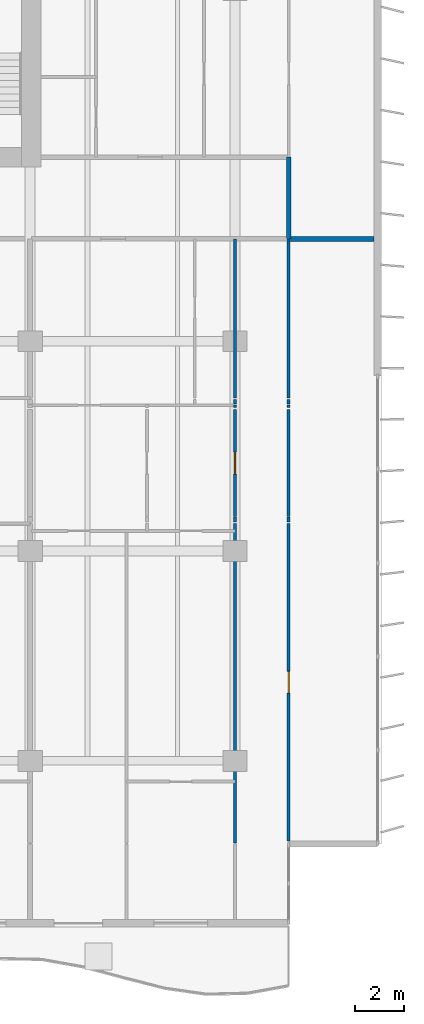
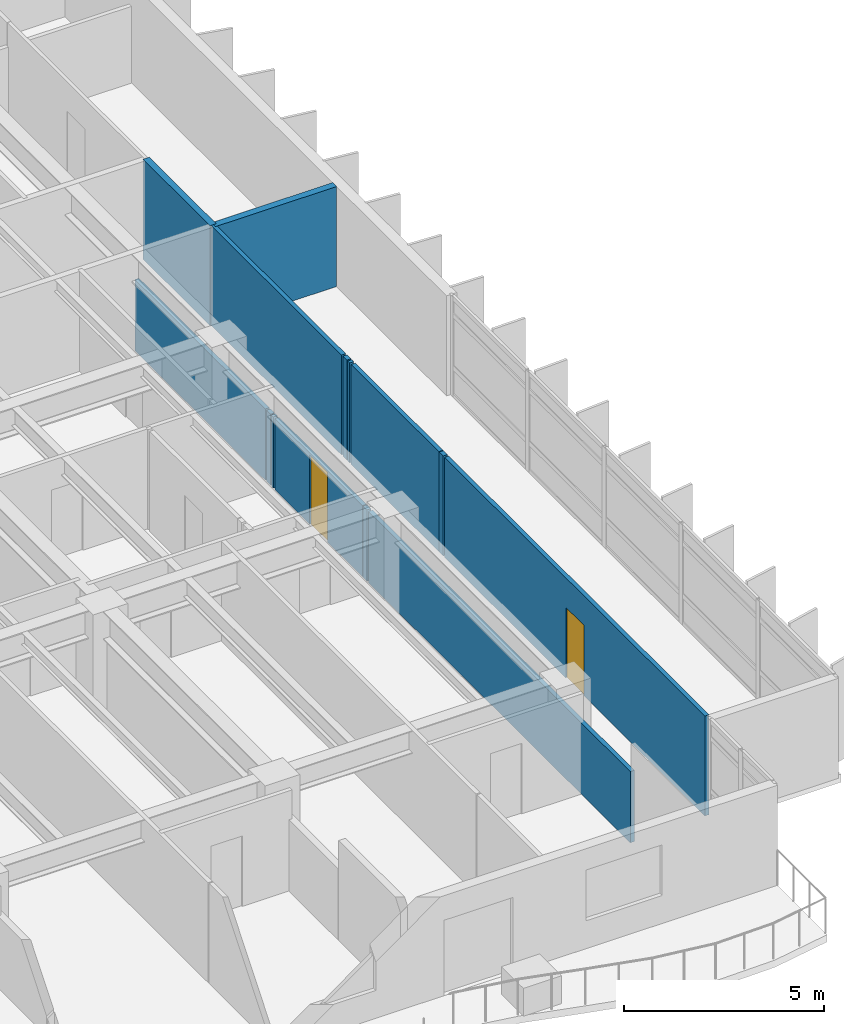
# One storey, part 14 of 19: 14 walls, 2 doors, 2 openings.
"""IFC4 building model written with IfcOpenShell, lengths in metres."""

from ifc_helpers import new_model, si_unit, direction, frame, frame_2d, origin, place, context, subcontext, project, spatial, rectangle, extrude, material, layer, layer_set, type_object, element, fill, save


model = new_model("IFC4")

# Units and contexts
model_context = context("Model", 3, precision=1e-05, world=origin(), true_north=direction((0.0, 1.0)))
body_context = subcontext(model_context, "Body", "Model", "MODEL_VIEW")
ifc_project = project(units=[si_unit("LENGTHUNIT", "METRE"), si_unit("AREAUNIT", "SQUARE_METRE"), si_unit("VOLUMEUNIT", "CUBIC_METRE"), si_unit("PLANEANGLEUNIT", "RADIAN"), si_unit("MASSUNIT", "GRAM", prefix="KILO")], contexts=[model_context])

# Site, building, storey
site_placement = place(None, origin())
site = spatial("IfcSite", under=ifc_project, at=site_placement, CompositionType="ELEMENT")
building_placement = place(site_placement, origin())
building = spatial("IfcBuilding", under=site, at=building_placement, Name="Caelmar Bay Residences", CompositionType="ELEMENT")
storey_placement = place(building_placement, frame((0.0, 0.0, 112.5)))
storey = spatial("IfcBuildingStorey", under=building, at=storey_placement, Name="L30", CompositionType="ELEMENT", Elevation=112.5)

# Walls
ifc_material_1 = material(Name="Double-stud acoustic fire-rated gypsum partition 180 mm")
ifc_layer_1 = layer(ifc_material_1, 0.179931640625)
ifc_layer_set_1 = layer_set([ifc_layer_1], Name="Double-stud acoustic fire-rated gypsum partition 180 mm")
wall_type_1 = type_object("IfcWallType", Name="W-COR-200", PredefinedType="PARTITIONING", material=ifc_layer_set_1)
wall_1_placement = place(storey_placement, frame((70.10009765625, 33.60498046875, 0.0), z_axis=(0.0, 0.0, 1.0), x_axis=(0.0, 1.0, 0.0)))
element("IfcWall", 1, at=wall_1_placement, inside=storey, type_object=wall_type_1, Name="L30 Partition Wall V117", PredefinedType="PARTITIONING", context=body_context, shape_type="SweptSolid", body=[
    extrude(rectangle(XDim=3.344970703125, YDim=0.179931640625, at=frame_2d((1.67236328125, 0.0))), origin(), (0.0, 0.0, 1.0), 3.050048828125),
])
ifc_material_2 = material(Name="Acoustic metal-stud gypsum partition 120 mm")
ifc_layer_2 = layer(ifc_material_2, 0.1201171875)
ifc_layer_set_2 = layer_set([ifc_layer_2], Name="Acoustic metal-stud gypsum partition 120 mm")
wall_type_2 = type_object("IfcWallType", Name="W-PRT-120", PredefinedType="PARTITIONING", material=ifc_layer_set_2)
wall_2_placement = place(storey_placement, frame((67.89990234375, 8.840087890625, 0.0), z_axis=(0.0, 0.0, 1.0), x_axis=(0.0, 1.0, 0.0)))
element("IfcWall", 2, at=wall_2_placement, inside=storey, type_object=wall_type_2, Name="L30 Partition Wall V105", PredefinedType="PARTITIONING", context=body_context, shape_type="SweptSolid", body=[
    extrude(rectangle(XDim=13.08984375, YDim=0.1201171875, at=frame_2d((6.544921875, 0.0))), origin(), (0.0, 0.0, 1.0), 2.174072265625),
])
wall_3_placement = place(storey_placement, frame((67.89990234375, 22.0, 0.0), z_axis=(0.0, 0.0, 1.0), x_axis=(0.0, 1.0, 0.0)))
element("IfcWall", 3, at=wall_3_placement, inside=storey, type_object=wall_type_2, Name="L30 Partition Wall V106", PredefinedType="PARTITIONING", context=body_context, shape_type="SweptSolid", body=[
    extrude(rectangle(XDim=0.199951171875, YDim=0.1201171875, at=frame_2d((0.10009765625, 0.0))), origin(), (0.0, 0.0, 1.0), 2.174072265625),
])

# Wall, opening, door
wall_4_placement = place(storey_placement, frame((67.89990234375, 22.219970703125, 0.0), z_axis=(0.0, 0.0, 1.0), x_axis=(0.0, 1.0, 0.0)))
wall_4 = element("IfcWall", 4, at=wall_4_placement, inside=storey, type_object=wall_type_2, Name="L30 Partition Wall V107", PredefinedType="PARTITIONING", context=body_context, shape_type="SweptSolid", body=[
    extrude(rectangle(XDim=4.380126953125, YDim=0.1201171875, at=frame_2d((2.18994140625, 0.0))), origin(), (0.0, 0.0, 1.0), 2.174072265625),
])
opening_1_placement = place(wall_4_placement, frame((1.739990234375, 0.0, 0.0)))
opening_1 = element("IfcOpeningElement", 5, at=opening_1_placement, cuts=wall_4, Name="Opening D-L30-161", PredefinedType="OPENING", context=body_context, shape_type="SweptSolid", body=[
    extrude(rectangle(XDim=0.89990234375, YDim=2.1240234375, at=frame_2d((0.449951171875, 1.06201171875))), frame((0.0, 0.070068359375, 0.0), z_axis=(0.0, -1.0, 0.0), x_axis=(1.0, 0.0, 0.0)), (0.0, 0.0, 1.0), 0.14013671875),
])
ifc_material_3 = material(Name="Solid walnut timber interior door leaf and frame", Category="wood")
ifc_layer_3 = layer(ifc_material_3, 0.050048828125)
ifc_layer_set_3 = layer_set([ifc_layer_3], Name="Solid walnut timber interior door leaf and frame")
door_type = type_object("IfcDoorType", Name="D-ROOM-900", OperationType="NOTDEFINED", PredefinedType="DOOR", material=ifc_layer_set_3)
door_1_placement = place(opening_1_placement, origin())
door_1 = element("IfcDoor", 6, at=door_1_placement, inside=storey, type_object=door_type, Name="L30 Residence 05 East Apartment Hall Door", OperationType="SINGLE_SWING_LEFT", OverallHeight=2.1240234375, OverallWidth=0.89990234375, PredefinedType="DOOR", context=body_context, shape_type="SweptSolid", body=[
    extrude(rectangle(XDim=0.89990234375, YDim=2.1240234375, at=frame_2d((0.449951171875, 1.06201171875))), frame((0.0, 0.02490234375, 0.0), z_axis=(0.0, -1.0, 0.0), x_axis=(1.0, 0.0, 0.0)), (0.0, 0.0, 1.0), 0.050048828125),
])
fill(opening_1, door_1)

# Walls
wall_5_placement = place(storey_placement, frame((67.89990234375, 26.679931640625, 0.0), z_axis=(0.0, 0.0, 1.0), x_axis=(0.0, 1.0, 0.0)))
element("IfcWall", 7, at=wall_5_placement, inside=storey, type_object=wall_type_2, Name="L30 Partition Wall V108", PredefinedType="PARTITIONING", context=body_context, shape_type="SweptSolid", body=[
    extrude(rectangle(XDim=0.10009765625, YDim=0.1201171875, at=frame_2d((0.050048828125, 0.0))), origin(), (0.0, 0.0, 1.0), 2.174072265625),
])
wall_6_placement = place(storey_placement, frame((67.89990234375, 26.820068359375, 0.0), z_axis=(0.0, 0.0, 1.0), x_axis=(0.0, 1.0, 0.0)))
element("IfcWall", 8, at=wall_6_placement, inside=storey, type_object=wall_type_2, Name="L30 Partition Wall V109", PredefinedType="PARTITIONING", context=body_context, shape_type="SweptSolid", body=[
    extrude(rectangle(XDim=0.199951171875, YDim=0.1201171875, at=frame_2d((0.10009765625, 0.0))), origin(), (0.0, 0.0, 1.0), 2.174072265625),
])
wall_7_placement = place(storey_placement, frame((67.89990234375, 27.080078125, 0.0), z_axis=(0.0, 0.0, 1.0), x_axis=(0.0, 1.0, 0.0)))
element("IfcWall", 9, at=wall_7_placement, inside=storey, type_object=wall_type_2, Name="L30 Partition Wall V110", PredefinedType="PARTITIONING", context=body_context, shape_type="SweptSolid", body=[
    extrude(rectangle(XDim=6.52001953125, YDim=0.1201171875, at=frame_2d((3.260009765625, 0.0))), origin(), (0.0, 0.0, 1.0), 2.174072265625),
])

# Wall, opening, door
wall_8_placement = place(storey_placement, frame((70.10009765625, 8.919921875, 0.0), z_axis=(0.0, 0.0, 1.0), x_axis=(0.0, 1.0, 0.0)))
wall_8 = element("IfcWall", 10, at=wall_8_placement, inside=storey, type_object=wall_type_2, Name="L30 Partition Wall V111", PredefinedType="PARTITIONING", context=body_context, shape_type="SweptSolid", body=[
    extrude(rectangle(XDim=13.010009765625, YDim=0.1201171875, at=frame_2d((6.5048828125, 0.0))), origin(), (0.0, 0.0, 1.0), 3.050048828125),
])
opening_2_placement = place(wall_8_placement, frame((6.054931640625, 0.0, 0.0)))
opening_2 = element("IfcOpeningElement", 11, at=opening_2_placement, cuts=wall_8, Name="Opening D-L30-163", PredefinedType="OPENING", context=body_context, shape_type="SweptSolid", body=[
    extrude(rectangle(XDim=0.89990234375, YDim=2.14990234375, at=frame_2d((0.449951171875, 1.074951171875))), frame((0.0, 0.070068359375, 0.0), z_axis=(0.0, -1.0, 0.0), x_axis=(1.0, 0.0, 0.0)), (0.0, 0.0, 1.0), 0.14013671875),
])
door_2_placement = place(opening_2_placement, origin())
door_2 = element("IfcDoor", 12, at=door_2_placement, inside=storey, type_object=door_type, Name="L30 Residence 05 Penthouse East Salon Door", OperationType="SINGLE_SWING_LEFT", OverallHeight=2.14990234375, OverallWidth=0.89990234375, PredefinedType="DOOR", context=body_context, shape_type="SweptSolid", body=[
    extrude(rectangle(XDim=0.89990234375, YDim=2.14990234375, at=frame_2d((0.449951171875, 1.074951171875))), frame((0.0, 0.02490234375, 0.0), z_axis=(0.0, -1.0, 0.0), x_axis=(1.0, 0.0, 0.0)), (0.0, 0.0, 1.0), 0.050048828125),
])
fill(opening_2, door_2)

# Walls
wall_9_placement = place(storey_placement, frame((70.10009765625, 22.0, 0.0), z_axis=(0.0, 0.0, 1.0), x_axis=(0.0, 1.0, 0.0)))
element("IfcWall", 13, at=wall_9_placement, inside=storey, type_object=wall_type_2, Name="L30 Partition Wall V112", PredefinedType="PARTITIONING", context=body_context, shape_type="SweptSolid", body=[
    extrude(rectangle(XDim=0.199951171875, YDim=0.1201171875, at=frame_2d((0.10009765625, 0.0))), origin(), (0.0, 0.0, 1.0), 3.050048828125),
])
wall_10_placement = place(storey_placement, frame((70.10009765625, 22.219970703125, 0.0), z_axis=(0.0, 0.0, 1.0), x_axis=(0.0, 1.0, 0.0)))
element("IfcWall", 14, at=wall_10_placement, inside=storey, type_object=wall_type_2, Name="L30 Partition Wall V113", PredefinedType="PARTITIONING", context=body_context, shape_type="SweptSolid", body=[
    extrude(rectangle(XDim=4.380126953125, YDim=0.1201171875, at=frame_2d((2.18994140625, 0.0))), origin(), (0.0, 0.0, 1.0), 3.050048828125),
])
wall_11_placement = place(storey_placement, frame((70.10009765625, 26.679931640625, 0.0), z_axis=(0.0, 0.0, 1.0), x_axis=(0.0, 1.0, 0.0)))
element("IfcWall", 15, at=wall_11_placement, inside=storey, type_object=wall_type_2, Name="L30 Partition Wall V114", PredefinedType="PARTITIONING", context=body_context, shape_type="SweptSolid", body=[
    extrude(rectangle(XDim=0.10009765625, YDim=0.1201171875, at=frame_2d((0.050048828125, 0.0))), origin(), (0.0, 0.0, 1.0), 3.050048828125),
])
wall_12_placement = place(storey_placement, frame((70.10009765625, 26.820068359375, 0.0), z_axis=(0.0, 0.0, 1.0), x_axis=(0.0, 1.0, 0.0)))
element("IfcWall", 16, at=wall_12_placement, inside=storey, type_object=wall_type_2, Name="L30 Partition Wall V115", PredefinedType="PARTITIONING", context=body_context, shape_type="SweptSolid", body=[
    extrude(rectangle(XDim=0.199951171875, YDim=0.1201171875, at=frame_2d((0.10009765625, 0.0))), origin(), (0.0, 0.0, 1.0), 3.050048828125),
])
wall_13_placement = place(storey_placement, frame((70.10009765625, 27.080078125, 0.0), z_axis=(0.0, 0.0, 1.0), x_axis=(0.0, 1.0, 0.0)))
element("IfcWall", 17, at=wall_13_placement, inside=storey, type_object=wall_type_2, Name="L30 Partition Wall V116", PredefinedType="PARTITIONING", context=body_context, shape_type="SweptSolid", body=[
    extrude(rectangle(XDim=6.52001953125, YDim=0.1201171875, at=frame_2d((3.260009765625, 0.0))), origin(), (0.0, 0.0, 1.0), 3.050048828125),
])
ifc_material_4 = material(Name="Acoustic twin-stud fire-rated inter-tenancy partition 200 mm")
ifc_layer_4 = layer(ifc_material_4, 0.199951171875)
ifc_layer_set_4 = layer_set([ifc_layer_4], Name="Acoustic twin-stud fire-rated inter-tenancy partition 200 mm")
wall_type_3 = type_object("IfcWallType", Name="W-PTY-200", PredefinedType="PARTITIONING", material=ifc_layer_set_4)
wall_14_placement = place(storey_placement, frame((70.10498046875, 33.60009765625, 0.0), z_axis=(0.0, 0.0, 1.0), x_axis=(1.0, 0.0, 0.0)))
element("IfcWall", 18, at=wall_14_placement, inside=storey, type_object=wall_type_3, Name="L30 Partition Wall H143", PredefinedType="PARTITIONING", context=body_context, shape_type="SweptSolid", body=[
    extrude(rectangle(XDim=3.5, YDim=0.199951171875, at=frame_2d((1.75, 0.0))), origin(), (0.0, 0.0, 1.0), 3.050048828125),
])

save(model, "model.ifc")
